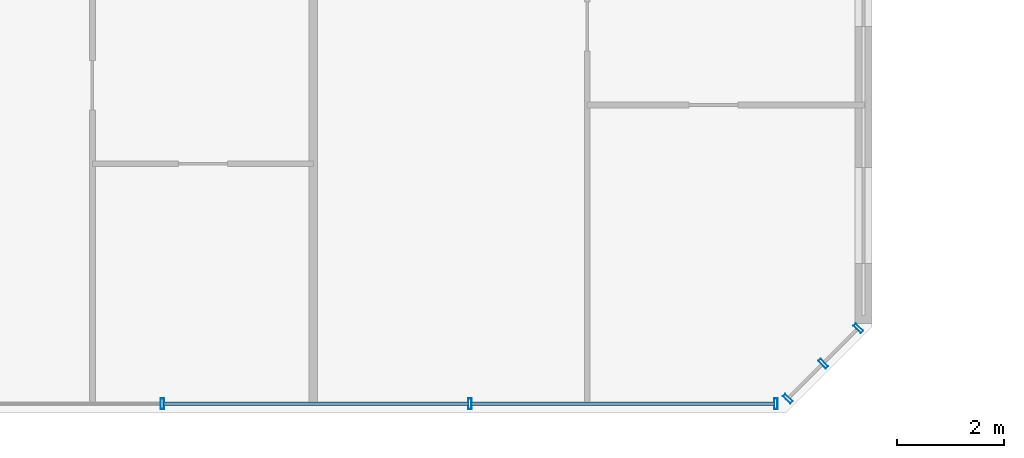
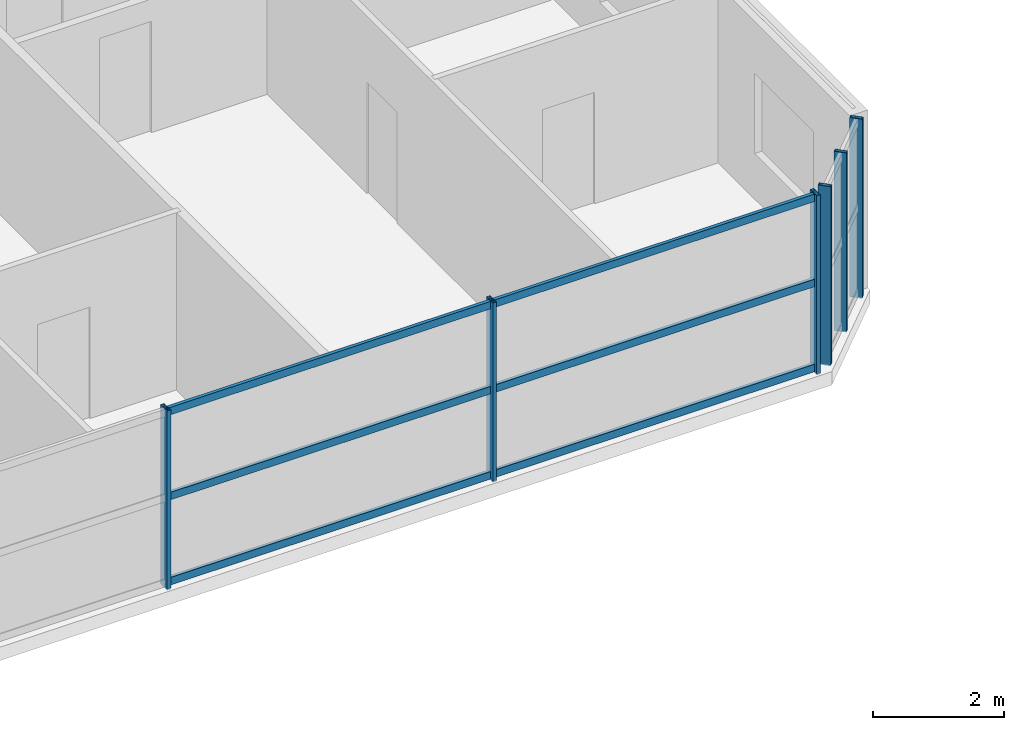
# One storey, part 6 of 21: 12 members, 2 elements without a shape of their own.
"""IFC4 building model written with IfcOpenShell, lengths in metres."""

from ifc_helpers import new_model, si_unit, direction, frame, origin, origin_2d, place, context, subcontext, project, spatial, hollow_rectangle, extrude, source, transform, mapped, material, material_profile, profile_set, type_object, element, aggregate, save


model = new_model("IFC4")

# Units and contexts
model_context = context("Model", 3, precision=1e-05, world=origin(), true_north=direction((0.0, 1.0)))
body_context = subcontext(model_context, "Body", "Model", "MODEL_VIEW")
ifc_project = project(units=[si_unit("LENGTHUNIT", "METRE"), si_unit("AREAUNIT", "SQUARE_METRE"), si_unit("VOLUMEUNIT", "CUBIC_METRE"), si_unit("PLANEANGLEUNIT", "RADIAN"), si_unit("MASSUNIT", "GRAM", prefix="KILO")], contexts=[model_context])

# Site, building, storey
site_placement = place(None, origin())
site = spatial("IfcSite", under=ifc_project, at=site_placement, CompositionType="ELEMENT")
building_placement = place(site_placement, origin())
building = spatial("IfcBuilding", under=site, at=building_placement, Name="Tlacorven Tower", CompositionType="ELEMENT")
storey_placement = place(building_placement, frame((0.0, 0.0, 191.39990234375)))
storey = spatial("IfcBuildingStorey", under=building, at=storey_placement, Name="L48", CompositionType="ELEMENT", Elevation=191.39990234375)

# Curtain wall, members
ifc_material_1 = material(Name="Dark solar low-E double glazing in aluminium frame", Category="aluminium")
curtain_wall_type = type_object("IfcCurtainWallType", Name="CW-TWR-MID", PredefinedType="USERDEFINED", material=ifc_material_1)
curtain_wall_1_placement = place(storey_placement, origin())
curtain_wall_1 = element("IfcCurtainWall", 1, at=curtain_wall_1_placement, inside=storey, type_object=curtain_wall_type, Name="L48 CW-TWR-MID Curtain Wall 221", ObjectType="UNITISED CURTAIN WALL", PredefinedType="USERDEFINED")
ifc_material_2 = material(Name="Aluminium 6063-T6 anodised", Category="aluminium")
ifc_material_profile_1 = material_profile(ifc_material_2, hollow_rectangle(XDim=0.06005859375, YDim=0.139892578125, WallThickness=0.00390625, at=origin_2d()), Name="ALU TRANSOM 60X140")
ifc_profile_set_1 = profile_set([ifc_material_profile_1], Name="Aluminium 6063-T6 anodised")
member_type_1 = type_object("IfcMemberType", Name="CWT-02", PredefinedType="USERDEFINED", material=ifc_profile_set_1)
shared_shape_1 = source(origin(), body_context, "Body", "SweptSolid", [
    extrude(hollow_rectangle(XDim=0.06005859375, YDim=0.139892578125, WallThickness=0.00390625, at=origin_2d()), origin(), (0.0, 0.0, 1.0), 5.682373046875),
])
member_1_placement = place(storey_placement, frame((50.580810546875, 1.9599609375, 0.070068359375), z_axis=(-1.0, 0.0, 0.0), x_axis=(0.0, -1.0, 0.0)))
member_1 = element("IfcMember", 2, at=member_1_placement, type_object=member_type_1, Name="CW-L48-221 Transom 1", ObjectType="TRANSOM", PredefinedType="USERDEFINED", context=body_context, shape_type="MappedRepresentation", body=[
    mapped(shared_shape_1, transform((0.0, 0.0, 0.0), scale=1.0)),
])
member_2_placement = place(storey_placement, frame((50.580810546875, 1.9599609375, 1.66015625), z_axis=(-1.0, 0.0, 0.0), x_axis=(0.0, -1.0, 0.0)))
member_2 = element("IfcMember", 3, at=member_2_placement, type_object=member_type_1, Name="CW-L48-221 Transom 2", ObjectType="TRANSOM", PredefinedType="USERDEFINED", context=body_context, shape_type="MappedRepresentation", body=[
    mapped(shared_shape_1, transform((0.0, 0.0, 0.0), scale=1.0)),
])
member_3_placement = place(storey_placement, frame((50.580810546875, 1.9599609375, 3.25), z_axis=(-1.0, 0.0, 0.0), x_axis=(0.0, -1.0, 0.0)))
member_3 = element("IfcMember", 4, at=member_3_placement, type_object=member_type_1, Name="CW-L48-221 Transom 3", ObjectType="TRANSOM", PredefinedType="USERDEFINED", context=body_context, shape_type="MappedRepresentation", body=[
    mapped(shared_shape_1, transform((0.0, 0.0, 0.0), scale=1.0)),
])
shared_shape_2 = source(origin(), body_context, "Body", "SweptSolid", [
    extrude(hollow_rectangle(XDim=0.06005859375, YDim=0.139892578125, WallThickness=0.00390625, at=origin_2d()), origin(), (0.0, 0.0, 1.0), 5.71484375),
])
member_4_placement = place(storey_placement, frame((44.857421875, 1.9599609375, 0.070068359375), z_axis=(-1.0, 0.0, 0.0), x_axis=(0.0, -1.0, 0.0)))
member_4 = element("IfcMember", 5, at=member_4_placement, type_object=member_type_1, Name="CW-L48-221 Transom 4", ObjectType="TRANSOM", PredefinedType="USERDEFINED", context=body_context, shape_type="MappedRepresentation", body=[
    mapped(shared_shape_2, transform((0.0, 0.0, 0.0), scale=1.0)),
])
member_5_placement = place(storey_placement, frame((44.857421875, 1.9599609375, 1.66015625), z_axis=(-1.0, 0.0, 0.0), x_axis=(0.0, -1.0, 0.0)))
member_5 = element("IfcMember", 6, at=member_5_placement, type_object=member_type_1, Name="CW-L48-221 Transom 5", ObjectType="TRANSOM", PredefinedType="USERDEFINED", context=body_context, shape_type="MappedRepresentation", body=[
    mapped(shared_shape_2, transform((0.0, 0.0, 0.0), scale=1.0)),
])
member_6_placement = place(storey_placement, frame((44.857421875, 1.9599609375, 3.25), z_axis=(-1.0, 0.0, 0.0), x_axis=(0.0, -1.0, 0.0)))
member_6 = element("IfcMember", 7, at=member_6_placement, type_object=member_type_1, Name="CW-L48-221 Transom 6", ObjectType="TRANSOM", PredefinedType="USERDEFINED", context=body_context, shape_type="MappedRepresentation", body=[
    mapped(shared_shape_2, transform((0.0, 0.0, 0.0), scale=1.0)),
])

curtain_wall_2_placement = place(storey_placement, origin())
curtain_wall_2 = element("IfcCurtainWall", 8, at=curtain_wall_2_placement, inside=storey, type_object=curtain_wall_type, Name="L48 CW-TWR-MID Curtain Wall 220", ObjectType="UNITISED CURTAIN WALL", PredefinedType="USERDEFINED")
ifc_material_profile_2 = material_profile(ifc_material_2, hollow_rectangle(XDim=0.06494140625, YDim=0.199951171875, WallThickness=0.00439453125, at=origin_2d()), Name="ALU MULLION 65X200")
ifc_profile_set_2 = profile_set([ifc_material_profile_2], Name="Aluminium 6063-T6 anodised")
member_type_2 = type_object("IfcMemberType", Name="CWM-02", PredefinedType="MULLION", material=ifc_profile_set_2)
shared_shape_3 = source(origin(), body_context, "Body", "SweptSolid", [
    extrude(hollow_rectangle(XDim=0.06494140625, YDim=0.199951171875, WallThickness=0.00439453125, at=origin_2d()), origin(), (0.0, 0.0, 1.0), 3.35009765625),
])
member_7_placement = place(storey_placement, frame((52.146240234375, 3.37255859375, -0.02001953125), z_axis=(0.0, 0.0, 1.0), x_axis=(-0.707106781187, -0.707106781187, 0.0)))
member_7 = element("IfcMember", 9, at=member_7_placement, type_object=member_type_2, Name="CW-L48-220 Mullion 1", PredefinedType="MULLION", context=body_context, shape_type="MappedRepresentation", body=[
    mapped(shared_shape_3, transform((0.0, 0.0, 0.0), scale=1.0)),
])
member_8_placement = place(storey_placement, frame((51.48681640625, 2.713134765625, -0.02001953125), z_axis=(0.0, 0.0, 1.0), x_axis=(-0.707106781187, -0.707106781187, 0.0)))
member_8 = element("IfcMember", 10, at=member_8_placement, type_object=member_type_2, Name="CW-L48-220 Mullion 2", PredefinedType="MULLION", context=body_context, shape_type="MappedRepresentation", body=[
    mapped(shared_shape_3, transform((0.0, 0.0, 0.0), scale=1.0)),
])
member_9_placement = place(storey_placement, frame((50.827392578125, 2.0537109375, -0.02001953125), z_axis=(0.0, 0.0, 1.0), x_axis=(-0.707106781187, -0.707106781187, 0.0)))
member_9 = element("IfcMember", 11, at=member_9_placement, type_object=member_type_2, Name="CW-L48-220 Mullion 3", PredefinedType="MULLION", context=body_context, shape_type="MappedRepresentation", body=[
    mapped(shared_shape_3, transform((0.0, 0.0, 0.0), scale=1.0)),
])
aggregate(curtain_wall_2, [member_7, member_8, member_9])

# Member
member_10_placement = place(storey_placement, frame((50.601318359375, 1.9599609375, -0.02001953125), z_axis=(0.0, 0.0, 1.0), x_axis=(-1.0, 0.0, 0.0)))
member_10 = element("IfcMember", 12, at=member_10_placement, type_object=member_type_2, Name="CW-L48-221 Mullion 1", PredefinedType="MULLION", context=body_context, shape_type="MappedRepresentation", body=[
    mapped(shared_shape_3, transform((0.0, 0.0, 0.0), scale=1.0)),
])

member_11_placement = place(storey_placement, frame((44.8779296875, 1.9599609375, -0.02001953125), z_axis=(0.0, 0.0, 1.0), x_axis=(-1.0, 0.0, 0.0)))
member_11 = element("IfcMember", 13, at=member_11_placement, type_object=member_type_2, Name="CW-L48-221 Mullion 2", PredefinedType="MULLION", context=body_context, shape_type="MappedRepresentation", body=[
    mapped(shared_shape_3, transform((0.0, 0.0, 0.0), scale=1.0)),
])

member_12_placement = place(storey_placement, frame((39.1220703125, 1.9599609375, -0.02001953125), z_axis=(0.0, 0.0, 1.0), x_axis=(-1.0, 0.0, 0.0)))
member_12 = element("IfcMember", 14, at=member_12_placement, type_object=member_type_2, Name="CW-L48-221 Mullion 3", PredefinedType="MULLION", context=body_context, shape_type="MappedRepresentation", body=[
    mapped(shared_shape_3, transform((0.0, 0.0, 0.0), scale=1.0)),
])

aggregate(curtain_wall_1, [member_10, member_11, member_12, member_1, member_2, member_3, member_4, member_5, member_6])

save(model, "model.ifc")
